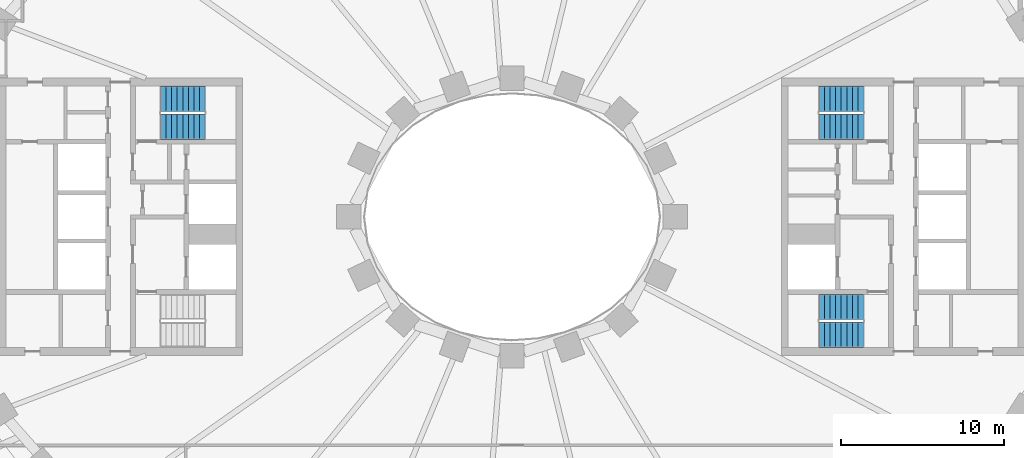
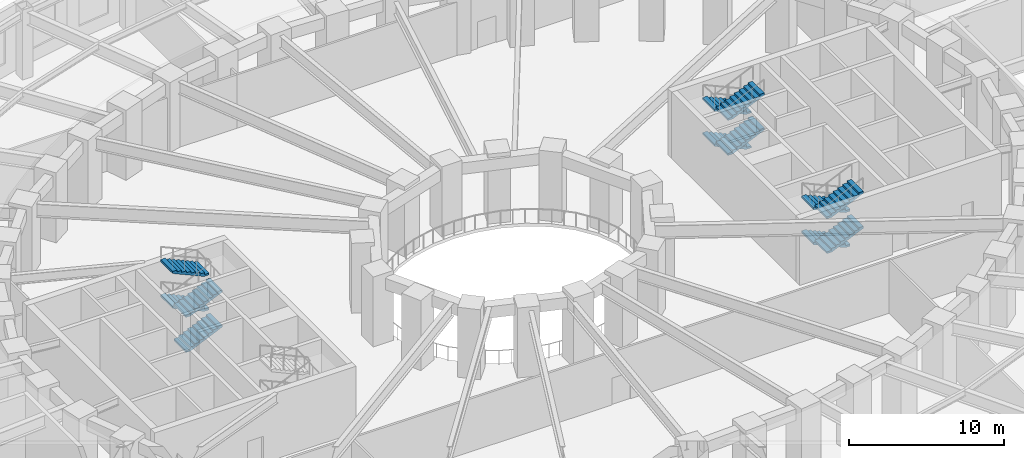
# One storey, part 17 of 63: 12 stair flights, 3 elements without a shape of their own.
"""IFC4 building model written with IfcOpenShell, lengths in metres."""

from ifc_helpers import new_model, si_unit, direction, frame, origin, place, context, subcontext, project, spatial, polyline, outline, extrude, material, type_object, element, aggregate, save


model = new_model("IFC4")

# Units and contexts
model_context = context("Model", 3, precision=1e-05, world=origin(), true_north=direction((0.0, 1.0)))
body_context = subcontext(model_context, "Body", "Model", "MODEL_VIEW")
ifc_project = project(units=[si_unit("LENGTHUNIT", "METRE"), si_unit("AREAUNIT", "SQUARE_METRE"), si_unit("VOLUMEUNIT", "CUBIC_METRE"), si_unit("PLANEANGLEUNIT", "RADIAN"), si_unit("MASSUNIT", "GRAM", prefix="KILO")], contexts=[model_context])

# Site, building, storey
site_placement = place(None, origin())
site = spatial("IfcSite", under=ifc_project, at=site_placement, CompositionType="ELEMENT")
building_placement = place(site_placement, origin())
building = spatial("IfcBuilding", under=site, at=building_placement, Name="Noorbagh Ring Tower", CompositionType="ELEMENT")
storey_placement = place(building_placement, frame((0.0, 0.0, 25.0)))
storey = spatial("IfcBuildingStorey", under=building, at=storey_placement, Name="L04", CompositionType="ELEMENT", Elevation=25.0)

# Stair, stair flights
ifc_material_1 = material(Name="Concrete C40/50", Category="concrete")
stair_type = type_object("IfcStairType", Name="CORE-STAIR", PredefinedType="HALF_TURN_STAIR", material=ifc_material_1)
stair_1_placement = place(storey_placement, origin())
stair_1 = element("IfcStair", 1, at=stair_1_placement, inside=storey, type_object=stair_type, Name="L04 Exit stair ST1", PredefinedType="HALF_TURN_STAIR")
ifc_material_2 = material(Name="Concrete C40/50", Category="concrete")
stair_flight_type = type_object("IfcStairFlightType", Name="CORE-STAIR-FLIGHT", PredefinedType="STRAIGHT", material=ifc_material_2)
stair_flight_1_placement = place(storey_placement, frame((-21.530029296875, 5.52490234375, 0.0), z_axis=(0.0, 0.0, 1.0), x_axis=(1.0, 0.0, 0.0)))
stair_flight_1 = element("IfcStairFlight", 2, at=stair_flight_1_placement, type_object=stair_flight_type, Name="ST1 flight 1", NumberOfRisers=9, NumberOfTreads=8, PredefinedType="STRAIGHT", RiserHeight=0.152777778, TreadLength=0.34, context=body_context, shape_type="SweptSolid", body=[
    extrude(outline(polyline([(0.0, 0.0), (0.0, 0.15283203125), (0.340087890625, 0.15283203125), (0.340087890625, 0.3056640625), (0.679931640625, 0.3056640625), (0.679931640625, 0.458251953125), (1.02001953125, 0.458251953125), (1.02001953125, 0.611083984375), (1.360107421875, 0.611083984375), (1.360107421875, 0.763916015625), (1.699951171875, 0.763916015625), (1.699951171875, 0.916748046875), (2.0400390625, 0.916748046875), (2.0400390625, 1.0693359375), (2.3798828125, 1.0693359375), (2.3798828125, 1.22216796875), (2.719970703125, 1.22216796875), (2.719970703125, 1.375), (2.719970703125, 1.057861328125), (0.36572265625, 0.0), (0.0, 0.0)])), frame((0.0, 0.77490234375, 0.0), z_axis=(0.0, -1.0, 0.0), x_axis=(1.0, 0.0, 0.0)), (0.0, 0.0, 1.0), 1.550048828125),
])
stair_flight_2_placement = place(storey_placement, frame((-18.81005859375, 7.22509765625, 1.375), z_axis=(0.0, 0.0, 1.0), x_axis=(-1.0, 0.0, 0.0)))
stair_flight_2 = element("IfcStairFlight", 3, at=stair_flight_2_placement, type_object=stair_flight_type, Name="ST1 flight 2", NumberOfRisers=9, NumberOfTreads=8, PredefinedType="STRAIGHT", RiserHeight=0.152777778, TreadLength=0.34, context=body_context, shape_type="SweptSolid", body=[
    extrude(outline(polyline([(0.0, 0.0), (0.0, 0.15283203125), (0.340087890625, 0.15283203125), (0.340087890625, 0.3056640625), (0.679931640625, 0.3056640625), (0.679931640625, 0.458251953125), (1.02001953125, 0.458251953125), (1.02001953125, 0.611083984375), (1.360107421875, 0.611083984375), (1.360107421875, 0.763916015625), (1.699951171875, 0.763916015625), (1.699951171875, 0.916748046875), (2.0400390625, 0.916748046875), (2.0400390625, 1.0693359375), (2.3798828125, 1.0693359375), (2.3798828125, 1.22216796875), (2.719970703125, 1.22216796875), (2.719970703125, 1.375), (2.719970703125, 1.057861328125), (0.36572265625, 0.0), (0.0, 0.0)])), frame((0.0, 0.77490234375, 0.0), z_axis=(0.0, -1.0, 0.0), x_axis=(1.0, 0.0, 0.0)), (0.0, 0.0, 1.0), 1.550048828125),
])
stair_flight_3_placement = place(storey_placement, frame((-21.530029296875, 5.52490234375, 2.75), z_axis=(0.0, 0.0, 1.0), x_axis=(1.0, 0.0, 0.0)))
stair_flight_3 = element("IfcStairFlight", 4, at=stair_flight_3_placement, type_object=stair_flight_type, Name="ST1 flight 3", NumberOfRisers=9, NumberOfTreads=8, PredefinedType="STRAIGHT", RiserHeight=0.152777778, TreadLength=0.34, context=body_context, shape_type="SweptSolid", body=[
    extrude(outline(polyline([(0.0, 0.0), (0.0, 0.15283203125), (0.340087890625, 0.15283203125), (0.340087890625, 0.3056640625), (0.679931640625, 0.3056640625), (0.679931640625, 0.458251953125), (1.02001953125, 0.458251953125), (1.02001953125, 0.611083984375), (1.360107421875, 0.611083984375), (1.360107421875, 0.763916015625), (1.699951171875, 0.763916015625), (1.699951171875, 0.916748046875), (2.0400390625, 0.916748046875), (2.0400390625, 1.0693359375), (2.3798828125, 1.0693359375), (2.3798828125, 1.22216796875), (2.719970703125, 1.22216796875), (2.719970703125, 1.375), (2.719970703125, 1.057861328125), (0.36572265625, 0.0), (0.0, 0.0)])), frame((0.0, 0.77490234375, 0.0), z_axis=(0.0, -1.0, 0.0), x_axis=(1.0, 0.0, 0.0)), (0.0, 0.0, 1.0), 1.550048828125),
])
stair_flight_4_placement = place(storey_placement, frame((-18.81005859375, 7.22509765625, 4.125), z_axis=(0.0, 0.0, 1.0), x_axis=(-1.0, 0.0, 0.0)))
stair_flight_4 = element("IfcStairFlight", 5, at=stair_flight_4_placement, type_object=stair_flight_type, Name="ST1 flight 4", NumberOfRisers=9, NumberOfTreads=8, PredefinedType="STRAIGHT", RiserHeight=0.152777778, TreadLength=0.34, context=body_context, shape_type="SweptSolid", body=[
    extrude(outline(polyline([(0.0, 0.0), (0.0, 0.15283203125), (0.340087890625, 0.15283203125), (0.340087890625, 0.3056640625), (0.679931640625, 0.3056640625), (0.679931640625, 0.458251953125), (1.02001953125, 0.458251953125), (1.02001953125, 0.611083984375), (1.360107421875, 0.611083984375), (1.360107421875, 0.763916015625), (1.699951171875, 0.763916015625), (1.699951171875, 0.916748046875), (2.0400390625, 0.916748046875), (2.0400390625, 1.0693359375), (2.3798828125, 1.0693359375), (2.3798828125, 1.22216796875), (2.719970703125, 1.22216796875), (2.719970703125, 1.375), (2.719970703125, 1.057861328125), (0.36572265625, 0.0), (0.0, 0.0)])), frame((0.0, 0.77490234375, 0.0), z_axis=(0.0, -1.0, 0.0), x_axis=(1.0, 0.0, 0.0)), (0.0, 0.0, 1.0), 1.550048828125),
])
aggregate(stair_1, [stair_flight_1, stair_flight_2, stair_flight_3, stair_flight_4])

stair_2_placement = place(storey_placement, origin())
stair_2 = element("IfcStair", 6, at=stair_2_placement, inside=storey, type_object=stair_type, Name="L04 Exit stair ST3", PredefinedType="HALF_TURN_STAIR")
stair_flight_5_placement = place(storey_placement, frame((21.530029296875, 7.22509765625, 0.0), z_axis=(0.0, 0.0, 1.0), x_axis=(-1.0, 0.0, 0.0)))
stair_flight_5 = element("IfcStairFlight", 7, at=stair_flight_5_placement, type_object=stair_flight_type, Name="ST3 flight 1", NumberOfRisers=9, NumberOfTreads=8, PredefinedType="STRAIGHT", RiserHeight=0.152777778, TreadLength=0.34, context=body_context, shape_type="SweptSolid", body=[
    extrude(outline(polyline([(0.0, 0.0), (0.0, 0.15283203125), (0.340087890625, 0.15283203125), (0.340087890625, 0.3056640625), (0.679931640625, 0.3056640625), (0.679931640625, 0.458251953125), (1.02001953125, 0.458251953125), (1.02001953125, 0.611083984375), (1.360107421875, 0.611083984375), (1.360107421875, 0.763916015625), (1.699951171875, 0.763916015625), (1.699951171875, 0.916748046875), (2.0400390625, 0.916748046875), (2.0400390625, 1.0693359375), (2.3798828125, 1.0693359375), (2.3798828125, 1.22216796875), (2.719970703125, 1.22216796875), (2.719970703125, 1.375), (2.719970703125, 1.057861328125), (0.36572265625, 0.0), (0.0, 0.0)])), frame((0.0, 0.77490234375, 0.0), z_axis=(0.0, -1.0, 0.0), x_axis=(1.0, 0.0, 0.0)), (0.0, 0.0, 1.0), 1.550048828125),
])
stair_flight_6_placement = place(storey_placement, frame((18.81005859375, 5.52490234375, 1.375), z_axis=(0.0, 0.0, 1.0), x_axis=(1.0, 0.0, 0.0)))
stair_flight_6 = element("IfcStairFlight", 8, at=stair_flight_6_placement, type_object=stair_flight_type, Name="ST3 flight 2", NumberOfRisers=9, NumberOfTreads=8, PredefinedType="STRAIGHT", RiserHeight=0.152777778, TreadLength=0.34, context=body_context, shape_type="SweptSolid", body=[
    extrude(outline(polyline([(0.0, 0.0), (0.0, 0.15283203125), (0.340087890625, 0.15283203125), (0.340087890625, 0.3056640625), (0.679931640625, 0.3056640625), (0.679931640625, 0.458251953125), (1.02001953125, 0.458251953125), (1.02001953125, 0.611083984375), (1.360107421875, 0.611083984375), (1.360107421875, 0.763916015625), (1.699951171875, 0.763916015625), (1.699951171875, 0.916748046875), (2.0400390625, 0.916748046875), (2.0400390625, 1.0693359375), (2.3798828125, 1.0693359375), (2.3798828125, 1.22216796875), (2.719970703125, 1.22216796875), (2.719970703125, 1.375), (2.719970703125, 1.057861328125), (0.36572265625, 0.0), (0.0, 0.0)])), frame((0.0, 0.77490234375, 0.0), z_axis=(0.0, -1.0, 0.0), x_axis=(1.0, 0.0, 0.0)), (0.0, 0.0, 1.0), 1.550048828125),
])
stair_flight_7_placement = place(storey_placement, frame((21.530029296875, 7.22509765625, 2.75), z_axis=(0.0, 0.0, 1.0), x_axis=(-1.0, 0.0, 0.0)))
stair_flight_7 = element("IfcStairFlight", 9, at=stair_flight_7_placement, type_object=stair_flight_type, Name="ST3 flight 3", NumberOfRisers=9, NumberOfTreads=8, PredefinedType="STRAIGHT", RiserHeight=0.152777778, TreadLength=0.34, context=body_context, shape_type="SweptSolid", body=[
    extrude(outline(polyline([(0.0, 0.0), (0.0, 0.15283203125), (0.340087890625, 0.15283203125), (0.340087890625, 0.3056640625), (0.679931640625, 0.3056640625), (0.679931640625, 0.458251953125), (1.02001953125, 0.458251953125), (1.02001953125, 0.611083984375), (1.360107421875, 0.611083984375), (1.360107421875, 0.763916015625), (1.699951171875, 0.763916015625), (1.699951171875, 0.916748046875), (2.0400390625, 0.916748046875), (2.0400390625, 1.0693359375), (2.3798828125, 1.0693359375), (2.3798828125, 1.22216796875), (2.719970703125, 1.22216796875), (2.719970703125, 1.375), (2.719970703125, 1.057861328125), (0.36572265625, 0.0), (0.0, 0.0)])), frame((0.0, 0.77490234375, 0.0), z_axis=(0.0, -1.0, 0.0), x_axis=(1.0, 0.0, 0.0)), (0.0, 0.0, 1.0), 1.550048828125),
])
stair_flight_8_placement = place(storey_placement, frame((18.81005859375, 5.52490234375, 4.125), z_axis=(0.0, 0.0, 1.0), x_axis=(1.0, 0.0, 0.0)))
stair_flight_8 = element("IfcStairFlight", 10, at=stair_flight_8_placement, type_object=stair_flight_type, Name="ST3 flight 4", NumberOfRisers=9, NumberOfTreads=8, PredefinedType="STRAIGHT", RiserHeight=0.152777778, TreadLength=0.34, context=body_context, shape_type="SweptSolid", body=[
    extrude(outline(polyline([(0.0, 0.0), (0.0, 0.15283203125), (0.340087890625, 0.15283203125), (0.340087890625, 0.3056640625), (0.679931640625, 0.3056640625), (0.679931640625, 0.458251953125), (1.02001953125, 0.458251953125), (1.02001953125, 0.611083984375), (1.360107421875, 0.611083984375), (1.360107421875, 0.763916015625), (1.699951171875, 0.763916015625), (1.699951171875, 0.916748046875), (2.0400390625, 0.916748046875), (2.0400390625, 1.0693359375), (2.3798828125, 1.0693359375), (2.3798828125, 1.22216796875), (2.719970703125, 1.22216796875), (2.719970703125, 1.375), (2.719970703125, 1.057861328125), (0.36572265625, 0.0), (0.0, 0.0)])), frame((0.0, 0.77490234375, 0.0), z_axis=(0.0, -1.0, 0.0), x_axis=(1.0, 0.0, 0.0)), (0.0, 0.0, 1.0), 1.550048828125),
])
aggregate(stair_2, [stair_flight_5, stair_flight_6, stair_flight_7, stair_flight_8])

stair_3_placement = place(storey_placement, origin())
stair_3 = element("IfcStair", 11, at=stair_3_placement, inside=storey, type_object=stair_type, Name="L04 Exit stair ST4", PredefinedType="HALF_TURN_STAIR")
stair_flight_9_placement = place(storey_placement, frame((21.530029296875, -5.52490234375, 0.0), z_axis=(0.0, 0.0, 1.0), x_axis=(-1.0, 0.0, 0.0)))
stair_flight_9 = element("IfcStairFlight", 12, at=stair_flight_9_placement, type_object=stair_flight_type, Name="ST4 flight 1", NumberOfRisers=9, NumberOfTreads=8, PredefinedType="STRAIGHT", RiserHeight=0.152777778, TreadLength=0.34, context=body_context, shape_type="SweptSolid", body=[
    extrude(outline(polyline([(0.0, 0.0), (0.0, 0.15283203125), (0.340087890625, 0.15283203125), (0.340087890625, 0.3056640625), (0.679931640625, 0.3056640625), (0.679931640625, 0.458251953125), (1.02001953125, 0.458251953125), (1.02001953125, 0.611083984375), (1.360107421875, 0.611083984375), (1.360107421875, 0.763916015625), (1.699951171875, 0.763916015625), (1.699951171875, 0.916748046875), (2.0400390625, 0.916748046875), (2.0400390625, 1.0693359375), (2.3798828125, 1.0693359375), (2.3798828125, 1.22216796875), (2.719970703125, 1.22216796875), (2.719970703125, 1.375), (2.719970703125, 1.057861328125), (0.36572265625, 0.0), (0.0, 0.0)])), frame((0.0, 0.77490234375, 0.0), z_axis=(0.0, -1.0, 0.0), x_axis=(1.0, 0.0, 0.0)), (0.0, 0.0, 1.0), 1.550048828125),
])
stair_flight_10_placement = place(storey_placement, frame((18.81005859375, -7.22509765625, 1.375), z_axis=(0.0, 0.0, 1.0), x_axis=(1.0, 0.0, 0.0)))
stair_flight_10 = element("IfcStairFlight", 13, at=stair_flight_10_placement, type_object=stair_flight_type, Name="ST4 flight 2", NumberOfRisers=9, NumberOfTreads=8, PredefinedType="STRAIGHT", RiserHeight=0.152777778, TreadLength=0.34, context=body_context, shape_type="SweptSolid", body=[
    extrude(outline(polyline([(0.0, 0.0), (0.0, 0.15283203125), (0.340087890625, 0.15283203125), (0.340087890625, 0.3056640625), (0.679931640625, 0.3056640625), (0.679931640625, 0.458251953125), (1.02001953125, 0.458251953125), (1.02001953125, 0.611083984375), (1.360107421875, 0.611083984375), (1.360107421875, 0.763916015625), (1.699951171875, 0.763916015625), (1.699951171875, 0.916748046875), (2.0400390625, 0.916748046875), (2.0400390625, 1.0693359375), (2.3798828125, 1.0693359375), (2.3798828125, 1.22216796875), (2.719970703125, 1.22216796875), (2.719970703125, 1.375), (2.719970703125, 1.057861328125), (0.36572265625, 0.0), (0.0, 0.0)])), frame((0.0, 0.77490234375, 0.0), z_axis=(0.0, -1.0, 0.0), x_axis=(1.0, 0.0, 0.0)), (0.0, 0.0, 1.0), 1.550048828125),
])
stair_flight_11_placement = place(storey_placement, frame((21.530029296875, -5.52490234375, 2.75), z_axis=(0.0, 0.0, 1.0), x_axis=(-1.0, 0.0, 0.0)))
stair_flight_11 = element("IfcStairFlight", 14, at=stair_flight_11_placement, type_object=stair_flight_type, Name="ST4 flight 3", NumberOfRisers=9, NumberOfTreads=8, PredefinedType="STRAIGHT", RiserHeight=0.152777778, TreadLength=0.34, context=body_context, shape_type="SweptSolid", body=[
    extrude(outline(polyline([(0.0, 0.0), (0.0, 0.15283203125), (0.340087890625, 0.15283203125), (0.340087890625, 0.3056640625), (0.679931640625, 0.3056640625), (0.679931640625, 0.458251953125), (1.02001953125, 0.458251953125), (1.02001953125, 0.611083984375), (1.360107421875, 0.611083984375), (1.360107421875, 0.763916015625), (1.699951171875, 0.763916015625), (1.699951171875, 0.916748046875), (2.0400390625, 0.916748046875), (2.0400390625, 1.0693359375), (2.3798828125, 1.0693359375), (2.3798828125, 1.22216796875), (2.719970703125, 1.22216796875), (2.719970703125, 1.375), (2.719970703125, 1.057861328125), (0.36572265625, 0.0), (0.0, 0.0)])), frame((0.0, 0.77490234375, 0.0), z_axis=(0.0, -1.0, 0.0), x_axis=(1.0, 0.0, 0.0)), (0.0, 0.0, 1.0), 1.550048828125),
])
stair_flight_12_placement = place(storey_placement, frame((18.81005859375, -7.22509765625, 4.125), z_axis=(0.0, 0.0, 1.0), x_axis=(1.0, 0.0, 0.0)))
stair_flight_12 = element("IfcStairFlight", 15, at=stair_flight_12_placement, type_object=stair_flight_type, Name="ST4 flight 4", NumberOfRisers=9, NumberOfTreads=8, PredefinedType="STRAIGHT", RiserHeight=0.152777778, TreadLength=0.34, context=body_context, shape_type="SweptSolid", body=[
    extrude(outline(polyline([(0.0, 0.0), (0.0, 0.15283203125), (0.340087890625, 0.15283203125), (0.340087890625, 0.3056640625), (0.679931640625, 0.3056640625), (0.679931640625, 0.458251953125), (1.02001953125, 0.458251953125), (1.02001953125, 0.611083984375), (1.360107421875, 0.611083984375), (1.360107421875, 0.763916015625), (1.699951171875, 0.763916015625), (1.699951171875, 0.916748046875), (2.0400390625, 0.916748046875), (2.0400390625, 1.0693359375), (2.3798828125, 1.0693359375), (2.3798828125, 1.22216796875), (2.719970703125, 1.22216796875), (2.719970703125, 1.375), (2.719970703125, 1.057861328125), (0.36572265625, 0.0), (0.0, 0.0)])), frame((0.0, 0.77490234375, 0.0), z_axis=(0.0, -1.0, 0.0), x_axis=(1.0, 0.0, 0.0)), (0.0, 0.0, 1.0), 1.550048828125),
])
aggregate(stair_3, [stair_flight_9, stair_flight_10, stair_flight_11, stair_flight_12])

save(model, "model.ifc")
